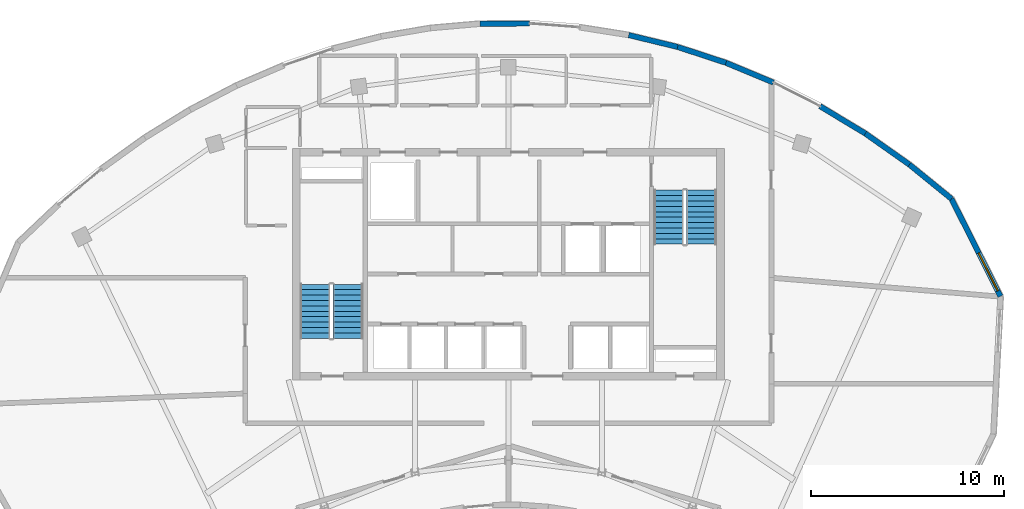
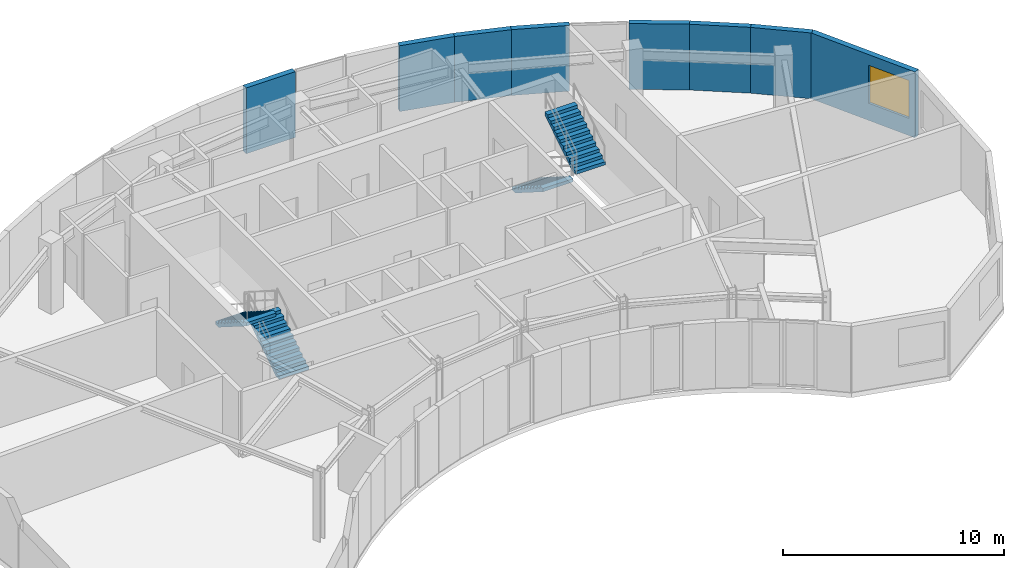
# One storey, part 8 of 9: 8 walls, 4 stair flights, 1 window, 1 opening, 2 elements without a shape of their own.
"""IFC4 building model written with IfcOpenShell, lengths in metres."""

from ifc_helpers import new_model, si_unit, direction, frame, frame_2d, origin, place, context, subcontext, project, spatial, polyline, rectangle, outline, extrude, source, transform, mapped, material, layer, layer_set, type_object, type_shapes, element, fill, aggregate, save


model = new_model("IFC4")

# Units and contexts
model_context = context("Model", 3, precision=1e-05, world=origin(), true_north=direction((0.0, 1.0)))
body_context = subcontext(model_context, "Body", "Model", "MODEL_VIEW")
ifc_project = project(units=[si_unit("LENGTHUNIT", "METRE"), si_unit("AREAUNIT", "SQUARE_METRE"), si_unit("VOLUMEUNIT", "CUBIC_METRE"), si_unit("PLANEANGLEUNIT", "RADIAN"), si_unit("MASSUNIT", "GRAM", prefix="KILO")], contexts=[model_context])

# Site, building, storey
site_placement = place(None, origin())
site = spatial("IfcSite", under=ifc_project, at=site_placement, CompositionType="ELEMENT")
building_placement = place(site_placement, origin())
building = spatial("IfcBuilding", under=site, at=building_placement, Name="Breltana Convention Tower", CompositionType="ELEMENT")
storey_placement = place(building_placement, frame((0.0, 0.0, 295.199951171875)))
storey = spatial("IfcBuildingStorey", under=building, at=storey_placement, Name="L72", CompositionType="ELEMENT", Elevation=295.199951171875)

# Wall, opening, window
ifc_material_1 = material(Name="Limestone Buff Insulated Wall", Category="masonry")
ifc_layer = layer(ifc_material_1, 0.280029296875, Name="Limestone Buff Insulated Wall")
ifc_layer_set = layer_set([ifc_layer], Name="Limestone Buff Insulated Wall")
wall_type = type_object("IfcWallType", Name="WL-EXT-NOSE-280", PredefinedType="SOLIDWALL", material=ifc_layer_set)
shared_shape_1 = source(origin(), body_context, "Body", "SweptSolid", [
    extrude(rectangle(XDim=5.6533203125, YDim=0.280029296875, at=frame_2d((2.82666015625, 0.0))), origin(), (0.0, 0.0, 1.0), 3.64013671875),
])
wall_1_placement = place(storey_placement, frame((70.976318359375, 69.5908203125, 0.0), z_axis=(0.0, 0.0, 1.0), x_axis=(0.449302555419, -0.893379658205, 0.0)))
wall_1 = element("IfcWall", 1, at=wall_1_placement, inside=storey, type_object=wall_type, Name="L72 curved limestone nose wall E1", PredefinedType="SOLIDWALL", context=body_context, shape_type="MappedRepresentation", body=[
    mapped(shared_shape_1, transform((0.0, 0.0, 0.0), scale=1.0)),
])
opening_placement = place(wall_1_placement, frame((3.139892578125, 0.0, 0.949951171875)))
opening = element("IfcOpeningElement", 2, at=opening_placement, cuts=wall_1, Name="Opening W-03", PredefinedType="OPENING", context=body_context, shape_type="SweptSolid", body=[
    extrude(rectangle(XDim=2.199951171875, YDim=2.10009765625, at=frame_2d((1.10009765625, 1.050048828125))), frame((0.0, 0.14990234375, 0.0), z_axis=(0.0, -1.0, 0.0), x_axis=(1.0, 0.0, 0.0)), (0.0, 0.0, 1.0), 0.300048828125),
])
ifc_material_2 = material(Name="Glass Low-E Insulated Window", Category="glass")
window_type = type_object("IfcWindowType", Name="WN-NOSE-2200X2100", PartitioningType="TRIPLE_PANEL_VERTICAL", PredefinedType="WINDOW", material=ifc_material_2)
shared_shape_2 = source(origin(), body_context, "Body", "SweptSolid", [
    extrude(rectangle(XDim=2.199951171875, YDim=2.10009765625, at=frame_2d((1.10009765625, 1.050048828125))), frame((0.0, 0.030029296875, 0.0), z_axis=(0.0, -1.0, 0.0), x_axis=(1.0, 0.0, 0.0)), (0.0, 0.0, 1.0), 0.06005859375),
])
type_shapes(window_type, [shared_shape_2])
window_placement = place(opening_placement, origin())
window = element("IfcWindow", 3, at=window_placement, inside=storey, type_object=window_type, Name="L72 nose window E1", OverallHeight=2.10009765625, OverallWidth=2.199951171875, PartitioningType="TRIPLE_PANEL_VERTICAL", PredefinedType="WINDOW", context=body_context, shape_type="MappedRepresentation", body=[
    mapped(shared_shape_2, transform((0.0, 0.0, 0.0), scale=1.0)),
])
fill(opening, window)

# Walls
shared_shape_3 = source(origin(), body_context, "Body", "SweptSolid", [
    extrude(rectangle(XDim=2.578125, YDim=0.280029296875, at=frame_2d((1.2890625, 0.0))), origin(), (0.0, 0.0, 1.0), 3.64013671875),
])
wall_2_placement = place(storey_placement, frame((46.52685546875, 78.668212890625, 0.0), z_axis=(0.0, 0.0, 1.0), x_axis=(0.999982204439, 0.005965802924, 0.0)))
element("IfcWall", 4, at=wall_2_placement, inside=storey, type_object=wall_type, Name="L72 curved limestone nose wall E27", PredefinedType="SOLIDWALL", context=body_context, shape_type="MappedRepresentation", body=[
    mapped(shared_shape_3, transform((0.0, 0.0, 0.0), scale=1.0)),
])
shared_shape_4 = source(origin(), body_context, "Body", "SweptSolid", [
    extrude(rectangle(XDim=2.63623046875, YDim=0.280029296875, at=frame_2d((1.318115234375, 0.0))), origin(), (0.0, 0.0, 1.0), 3.64013671875),
])
wall_3_placement = place(storey_placement, frame((56.776611328125, 77.466796875, 0.0), z_axis=(0.0, 0.0, 1.0), x_axis=(0.950200321617, -0.311639774097, 0.0)))
element("IfcWall", 5, at=wall_3_placement, inside=storey, type_object=wall_type, Name="L72 curved limestone nose wall E30", PredefinedType="SOLIDWALL", context=body_context, shape_type="MappedRepresentation", body=[
    mapped(shared_shape_4, transform((0.0, 0.0, 0.0), scale=1.0)),
])
shared_shape_5 = source(origin(), body_context, "Body", "SweptSolid", [
    extrude(rectangle(XDim=2.668212890625, YDim=0.280029296875, at=frame_2d((1.333984375, 0.0))), origin(), (0.0, 0.0, 1.0), 3.64013671875),
])
wall_4_placement = place(storey_placement, frame((59.281494140625, 76.645263671875, 0.0), z_axis=(0.0, 0.0, 1.0), x_axis=(0.923290633029, -0.384102078828, 0.0)))
element("IfcWall", 6, at=wall_4_placement, inside=storey, type_object=wall_type, Name="L72 curved limestone nose wall E31", PredefinedType="SOLIDWALL", context=body_context, shape_type="MappedRepresentation", body=[
    mapped(shared_shape_5, transform((0.0, 0.0, 0.0), scale=1.0)),
])
shared_shape_6 = source(origin(), body_context, "Body", "SweptSolid", [
    extrude(rectangle(XDim=2.748291015625, YDim=0.280029296875, at=frame_2d((1.3740234375, 0.0))), origin(), (0.0, 0.0, 1.0), 3.64013671875),
])
wall_5_placement = place(storey_placement, frame((64.157470703125, 74.3955078125, 0.0), z_axis=(0.0, 0.0, 1.0), x_axis=(0.856149718453, -0.516727838996, 0.0)))
element("IfcWall", 7, at=wall_5_placement, inside=storey, type_object=wall_type, Name="L72 curved limestone nose wall E32", PredefinedType="SOLIDWALL", context=body_context, shape_type="MappedRepresentation", body=[
    mapped(shared_shape_6, transform((0.0, 0.0, 0.0), scale=1.0)),
])
shared_shape_7 = source(origin(), body_context, "Body", "SweptSolid", [
    extrude(rectangle(XDim=2.811767578125, YDim=0.280029296875, at=frame_2d((1.40576171875, 0.0))), origin(), (0.0, 0.0, 1.0), 3.64013671875),
])
wall_6_placement = place(storey_placement, frame((68.794677734375, 71.36474609375, 0.0), z_axis=(0.0, 0.0, 1.0), x_axis=(0.775880230716, -0.630880232361, 0.0)))
element("IfcWall", 8, at=wall_6_placement, inside=storey, type_object=wall_type, Name="L72 curved limestone nose wall E34", PredefinedType="SOLIDWALL", context=body_context, shape_type="MappedRepresentation", body=[
    mapped(shared_shape_7, transform((0.0, 0.0, 0.0), scale=1.0)),
])
shared_shape_8 = source(origin(), body_context, "Body", "SweptSolid", [
    extrude(rectangle(XDim=2.61083984375, YDim=0.280029296875, at=frame_2d((1.305419921875, 0.0))), origin(), (0.0, 0.0, 1.0), 3.64013671875),
])
wall_7_placement = place(storey_placement, frame((54.2392578125, 78.08154296875, 0.0), z_axis=(0.0, 0.0, 1.0), x_axis=(0.97188253817, -0.235466201396, 0.0)))
element("IfcWall", 9, at=wall_7_placement, inside=storey, type_object=wall_type, Name="L72 curved limestone nose wall E29", PredefinedType="SOLIDWALL", context=body_context, shape_type="MappedRepresentation", body=[
    mapped(shared_shape_8, transform((0.0, 0.0, 0.0), scale=1.0)),
])
shared_shape_9 = source(origin(), body_context, "Body", "SweptSolid", [
    extrude(rectangle(XDim=2.794921875, YDim=0.280029296875, at=frame_2d((1.3974609375, 0.0))), origin(), (0.0, 0.0, 1.0), 3.64013671875),
])
wall_8_placement = place(storey_placement, frame((66.510498046875, 72.975341796875, 0.0), z_axis=(0.0, 0.0, 1.0), x_axis=(0.817265517835, -0.576261289136, 0.0)))
element("IfcWall", 10, at=wall_8_placement, inside=storey, type_object=wall_type, Name="L72 curved limestone nose wall E33", PredefinedType="SOLIDWALL", context=body_context, shape_type="MappedRepresentation", body=[
    mapped(shared_shape_9, transform((0.0, 0.0, 0.0), scale=1.0)),
])

# Stair, stair flights
ifc_material_3 = material(Name="Concrete C40/50", Category="concrete")
stair_type = type_object("IfcStairType", Name="ST-DOG-1560-R177", PredefinedType="HALF_TURN_STAIR", material=ifc_material_3)
stair_1_placement = place(storey_placement, origin())
stair_1 = element("IfcStair", 11, at=stair_1_placement, inside=storey, type_object=stair_type, Name="L72 Protected Core Exit Stair ST-1", PredefinedType="HALF_TURN_STAIR")
stair_flight_type = type_object("IfcStairFlightType", Name="STF-DOG-1560-N11-R177", PredefinedType="STRAIGHT", material=ifc_material_3)
stair_flight_1_placement = place(storey_placement, frame((39.68994140625, 62.360107421875, 0.0), z_axis=(0.0, 0.0, 1.0), x_axis=(0.0, 1.0, 0.0)))
stair_flight_1 = element("IfcStairFlight", 12, at=stair_flight_1_placement, type_object=stair_flight_type, Name="ST-1 flight 1", NumberOfRisers=11, NumberOfTreads=10, PredefinedType="STRAIGHT", RiserHeight=0.177272727, TreadLength=0.28, context=body_context, shape_type="SweptSolid", body=[
    extrude(outline(polyline([(0.0, 0.0), (0.0, 0.17724609375), (0.280029296875, 0.17724609375), (0.280029296875, 0.3544921875), (0.56005859375, 0.3544921875), (0.56005859375, 0.53173828125), (0.840087890625, 0.53173828125), (0.840087890625, 0.708984375), (1.1201171875, 0.708984375), (1.1201171875, 0.886474609375), (1.39990234375, 0.886474609375), (1.39990234375, 1.063720703125), (1.679931640625, 1.063720703125), (1.679931640625, 1.240966796875), (1.9599609375, 1.240966796875), (1.9599609375, 1.418212890625), (2.239990234375, 1.418212890625), (2.239990234375, 1.595458984375), (2.52001953125, 1.595458984375), (2.52001953125, 1.772705078125), (2.800048828125, 1.772705078125), (2.800048828125, 1.949951171875), (2.800048828125, 1.59521484375), (0.2802734375, 0.0), (0.0, 0.0)])), frame((0.0, 0.780029296875, 0.0), z_axis=(0.0, -1.0, 0.0), x_axis=(1.0, 0.0, 0.0)), (0.0, 0.0, 1.0), 1.56005859375),
])
stair_flight_2_placement = place(storey_placement, frame((37.97998046875, 65.159912109375, 1.949951171875), z_axis=(0.0, 0.0, 1.0), x_axis=(0.0, -1.0, 0.0)))
stair_flight_2 = element("IfcStairFlight", 13, at=stair_flight_2_placement, type_object=stair_flight_type, Name="ST-1 flight 2", NumberOfRisers=11, NumberOfTreads=10, PredefinedType="STRAIGHT", RiserHeight=0.177272727, TreadLength=0.28, context=body_context, shape_type="SweptSolid", body=[
    extrude(outline(polyline([(0.0, 0.0), (0.0, 0.17724609375), (0.280029296875, 0.17724609375), (0.280029296875, 0.3544921875), (0.56005859375, 0.3544921875), (0.56005859375, 0.53173828125), (0.840087890625, 0.53173828125), (0.840087890625, 0.708984375), (1.1201171875, 0.708984375), (1.1201171875, 0.886474609375), (1.39990234375, 0.886474609375), (1.39990234375, 1.063720703125), (1.679931640625, 1.063720703125), (1.679931640625, 1.240966796875), (1.9599609375, 1.240966796875), (1.9599609375, 1.418212890625), (2.239990234375, 1.418212890625), (2.239990234375, 1.595458984375), (2.52001953125, 1.595458984375), (2.52001953125, 1.772705078125), (2.800048828125, 1.772705078125), (2.800048828125, 1.949951171875), (2.800048828125, 1.59521484375), (0.2802734375, 0.0), (0.0, 0.0)])), frame((0.0, 0.780029296875, 0.0), z_axis=(0.0, -1.0, 0.0), x_axis=(1.0, 0.0, 0.0)), (0.0, 0.0, 1.0), 1.56005859375),
])
aggregate(stair_1, [stair_flight_1, stair_flight_2])

stair_2_placement = place(storey_placement, origin())
stair_2 = element("IfcStair", 14, at=stair_2_placement, inside=storey, type_object=stair_type, Name="L72 Protected Core Exit Stair ST-2", PredefinedType="HALF_TURN_STAIR")
stair_flight_3_placement = place(storey_placement, frame((56.31005859375, 70.0400390625, 0.0), z_axis=(0.0, 0.0, 1.0), x_axis=(0.0, -1.0, 0.0)))
stair_flight_3 = element("IfcStairFlight", 15, at=stair_flight_3_placement, type_object=stair_flight_type, Name="ST-2 flight 1", NumberOfRisers=11, NumberOfTreads=10, PredefinedType="STRAIGHT", RiserHeight=0.177272727, TreadLength=0.28, context=body_context, shape_type="SweptSolid", body=[
    extrude(outline(polyline([(0.0, 0.0), (0.0, 0.17724609375), (0.280029296875, 0.17724609375), (0.280029296875, 0.3544921875), (0.56005859375, 0.3544921875), (0.56005859375, 0.53173828125), (0.840087890625, 0.53173828125), (0.840087890625, 0.708984375), (1.1201171875, 0.708984375), (1.1201171875, 0.886474609375), (1.39990234375, 0.886474609375), (1.39990234375, 1.063720703125), (1.679931640625, 1.063720703125), (1.679931640625, 1.240966796875), (1.9599609375, 1.240966796875), (1.9599609375, 1.418212890625), (2.239990234375, 1.418212890625), (2.239990234375, 1.595458984375), (2.52001953125, 1.595458984375), (2.52001953125, 1.772705078125), (2.800048828125, 1.772705078125), (2.800048828125, 1.949951171875), (2.800048828125, 1.59521484375), (0.2802734375, 0.0), (0.0, 0.0)])), frame((0.0, 0.780029296875, 0.0), z_axis=(0.0, -1.0, 0.0), x_axis=(1.0, 0.0, 0.0)), (0.0, 0.0, 1.0), 1.56005859375),
])
stair_flight_4_placement = place(storey_placement, frame((58.02001953125, 67.239990234375, 1.949951171875), z_axis=(0.0, 0.0, 1.0), x_axis=(0.0, 1.0, 0.0)))
stair_flight_4 = element("IfcStairFlight", 16, at=stair_flight_4_placement, type_object=stair_flight_type, Name="ST-2 flight 2", NumberOfRisers=11, NumberOfTreads=10, PredefinedType="STRAIGHT", RiserHeight=0.177272727, TreadLength=0.28, context=body_context, shape_type="SweptSolid", body=[
    extrude(outline(polyline([(0.0, 0.0), (0.0, 0.17724609375), (0.280029296875, 0.17724609375), (0.280029296875, 0.3544921875), (0.56005859375, 0.3544921875), (0.56005859375, 0.53173828125), (0.840087890625, 0.53173828125), (0.840087890625, 0.708984375), (1.1201171875, 0.708984375), (1.1201171875, 0.886474609375), (1.39990234375, 0.886474609375), (1.39990234375, 1.063720703125), (1.679931640625, 1.063720703125), (1.679931640625, 1.240966796875), (1.9599609375, 1.240966796875), (1.9599609375, 1.418212890625), (2.239990234375, 1.418212890625), (2.239990234375, 1.595458984375), (2.52001953125, 1.595458984375), (2.52001953125, 1.772705078125), (2.800048828125, 1.772705078125), (2.800048828125, 1.949951171875), (2.800048828125, 1.59521484375), (0.2802734375, 0.0), (0.0, 0.0)])), frame((0.0, 0.780029296875, 0.0), z_axis=(0.0, -1.0, 0.0), x_axis=(1.0, 0.0, 0.0)), (0.0, 0.0, 1.0), 1.56005859375),
])
aggregate(stair_2, [stair_flight_3, stair_flight_4])

save(model, "model.ifc")
